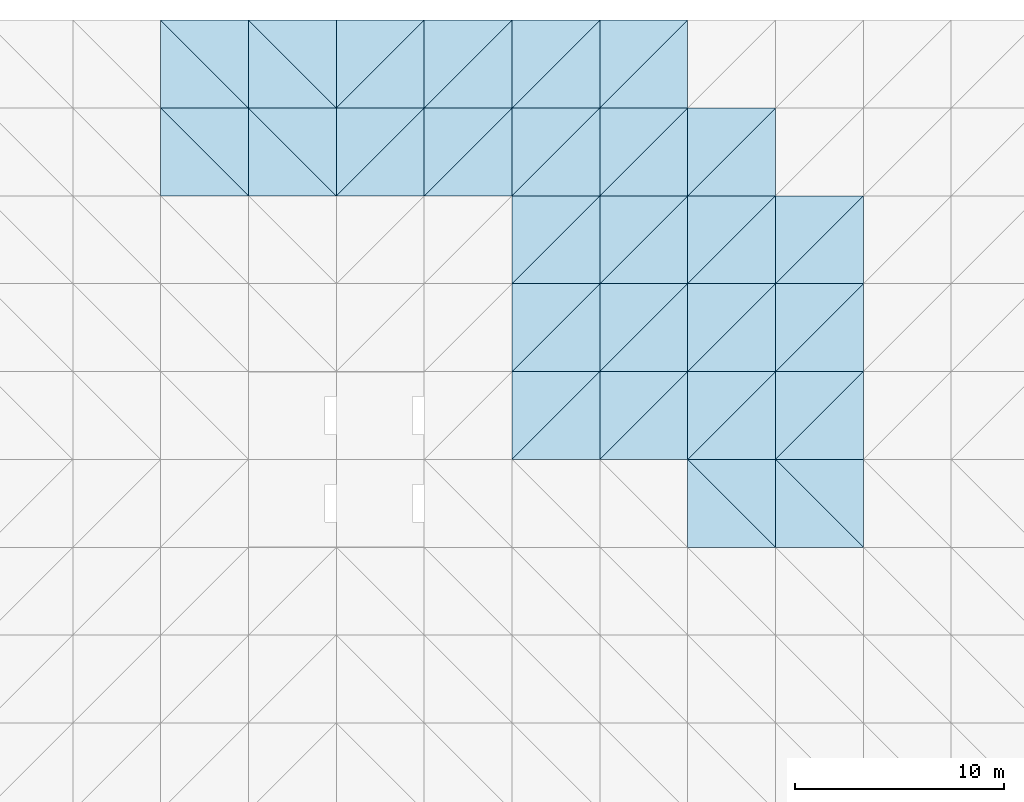
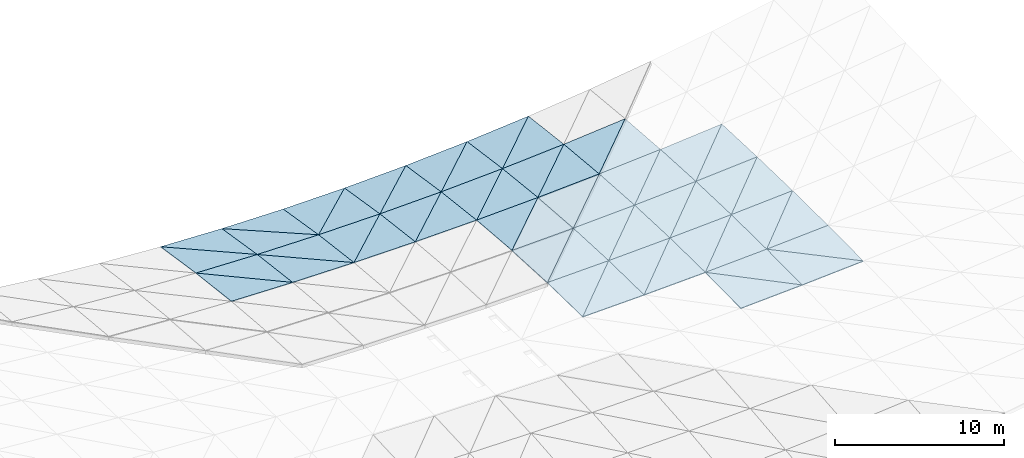
# One storey, part 52 of 64: 54 roofs.
"""IFC4 building model written with IfcOpenShell, lengths in metres."""

from ifc_helpers import new_model, si_unit, direction, frame, origin, place, context, subcontext, project, spatial, polyline, outline, extrude, material, layer, layer_set, type_object, element, save


model = new_model("IFC4")

# Units and contexts
model_context = context("Model", 3, precision=1e-05, world=origin(), true_north=direction((0.0, 1.0)))
body_context = subcontext(model_context, "Body", "Model", "MODEL_VIEW")
ifc_project = project(units=[si_unit("LENGTHUNIT", "METRE"), si_unit("AREAUNIT", "SQUARE_METRE"), si_unit("VOLUMEUNIT", "CUBIC_METRE"), si_unit("PLANEANGLEUNIT", "RADIAN"), si_unit("MASSUNIT", "GRAM", prefix="KILO")], contexts=[model_context])

# Site, building, storey
site_placement = place(None, origin())
site = spatial("IfcSite", under=ifc_project, at=site_placement, CompositionType="ELEMENT")
building_placement = place(site_placement, origin())
building = spatial("IfcBuilding", under=site, at=building_placement, Name="Cumbredor Promenade Congress Hotel", CompositionType="ELEMENT")
storey_placement = place(building_placement, frame((0.0, 0.0, 18.47998046875)))
storey = spatial("IfcBuildingStorey", under=building, at=storey_placement, Name="L05", CompositionType="ELEMENT", Elevation=18.47998046875)

# Roofs
ifc_material = material(Name="Standing-seam zinc-aluminium roofing", Category="aluminium")
ifc_layer = layer(ifc_material, 0.050048828125, Name="Standing-seam zinc-aluminium roofing", Category="aluminium")
ifc_layer_set = layer_set([ifc_layer], Name="Standing-seam zinc-aluminium roofing")
roof_type = type_object("IfcRoofType", Name="Sweeping Pavilion Standing-Seam Roof Skin 50mm", PredefinedType="FREEFORM", material=ifc_layer_set)
roof_1_placement = place(storey_placement, frame((126.0, 113.39990234375, 1.121337890625), z_axis=(0.023948674691, 0.117832171494, 0.992744700485), x_axis=(0.999709150504, 0.0, -0.024116682989)))
element("IfcRoof", 1, at=roof_1_placement, inside=storey, type_object=roof_type, Name="Pre-Function and Breakout Meeting Forum Standing-Seam Roof Skin 10.9.1", PredefinedType="FREEFORM", context=body_context, shape_type="SweptSolid", body=[
    extrude(outline(polyline([(0.0, 0.0), (4.201173080947823, 0.0), (0.012023014322136327, 4.229661146272925), (0.0, 0.0)])), origin(), (0.0, 0.0, -1.0), 0.050048828125),
])
roof_2_placement = place(storey_placement, frame((130.199951171875, 113.39990234375, 1.02001953125), z_axis=(0.029866350979, 0.123667179737, 0.991874200559), x_axis=(0.0, 0.992316872086, -0.123722372159)))
element("IfcRoof", 2, at=roof_2_placement, inside=storey, type_object=roof_type, Name="Pre-Function and Breakout Meeting Forum Standing-Seam Roof Skin 10.9.2", PredefinedType="FREEFORM", context=body_context, shape_type="SweptSolid", body=[
    extrude(outline(polyline([(0.0, 0.0), (4.232715809486229, 0.0), (4.217069279022748, 4.201825601916784), (0.0, 0.0)])), origin(), (0.0, 0.0, -1.0), 0.050048828125),
])
roof_3_placement = place(storey_placement, frame((126.0, 117.60009765625, 0.622802734375), z_axis=(0.029753049423, 0.150833026609, 0.988111407754), x_axis=(0.999546971061, 0.0, -0.03009738598)))
element("IfcRoof", 3, at=roof_3_placement, inside=storey, type_object=roof_type, Name="Pre-Function and Breakout Meeting Forum Standing-Seam Roof Skin 10.10.1", PredefinedType="FREEFORM", context=body_context, shape_type="SweptSolid", body=[
    extrude(outline(polyline([(0.0, 0.0), (4.201854733666896, 0.0), (0.019295833882523407, 4.248557844295416), (0.0, 0.0)])), origin(), (0.0, 0.0, -1.0), 0.050048828125),
])
roof_4_placement = place(storey_placement, frame((130.199951171875, 117.60009765625, 0.496337890625), z_axis=(0.037281756976, 0.158189362676, 0.986704715775), x_axis=(0.0, 0.987391156385, -0.158299413434)))
element("IfcRoof", 4, at=roof_4_placement, inside=storey, type_object=roof_type, Name="Pre-Function and Breakout Meeting Forum Standing-Seam Roof Skin 10.10.2", PredefinedType="FREEFORM", context=body_context, shape_type="SweptSolid", body=[
    extrude(outline(polyline([(0.0, 0.0), (4.253583946663738, 0.0), (4.228463190137314, 4.2028730359295094), (0.0, 0.0)])), origin(), (0.0, 0.0, -1.0), 0.050048828125),
])
roof_5_placement = place(storey_placement, frame((130.199951171875, 113.39990234375, 1.02001953125), z_axis=(0.008017648772, 0.123718395492, 0.992284977174), x_axis=(0.999967358511, 0.0, -0.008079722306)))
element("IfcRoof", 5, at=roof_5_placement, inside=storey, type_object=roof_type, Name="Pre-Function and Breakout Meeting Forum Standing-Seam Roof Skin 11.9.1", PredefinedType="FREEFORM", context=body_context, shape_type="SweptSolid", body=[
    extrude(outline(polyline([(0.0, 0.0), (4.200088269010057, 0.0), (0.004231202233089078, 4.232713694641102), (0.0, 0.0)])), origin(), (0.0, 0.0, -1.0), 0.050048828125),
])
roof_6_placement = place(storey_placement, frame((134.39990234375, 113.39990234375, 0.986083984375), z_axis=(0.009976184996, 0.125646494545, 0.992024916089), x_axis=(0.0, 0.99207428505, -0.12565274745)))
element("IfcRoof", 6, at=roof_6_placement, inside=storey, type_object=roof_type, Name="Pre-Function and Breakout Meeting Forum Standing-Seam Roof Skin 11.9.2", PredefinedType="FREEFORM", context=body_context, shape_type="SweptSolid", body=[
    extrude(outline(polyline([(0.0, 0.0), (4.2337508146241865, 0.0), (4.228443703953093, 4.20016018600767), (0.0, 0.0)])), origin(), (0.0, 0.0, -1.0), 0.050048828125),
])
roof_7_placement = place(storey_placement, frame((130.199951171875, 117.60009765625, 0.496337890625), z_axis=(0.009929096646, 0.158291610113, 0.987342483239), x_axis=(0.99994943839, 0.0, -0.010055877047)))
element("IfcRoof", 7, at=roof_7_placement, inside=storey, type_object=roof_type, Name="Pre-Function and Breakout Meeting Forum Standing-Seam Roof Skin 11.10.1", PredefinedType="FREEFORM", context=body_context, shape_type="SweptSolid", body=[
    extrude(outline(polyline([(0.0, 0.0), (4.200163538905083, -1.734723475976807e-18), (0.006771022679672835, 4.253578557469855), (0.0, 0.0)])), origin(), (0.0, 0.0, -1.0), 0.050048828125),
])
roof_8_placement = place(storey_placement, frame((134.39990234375, 117.60009765625, 0.4541015625), z_axis=(0.012449049297, 0.160747631938, 0.98691702792), x_axis=(0.0, 0.986993512432, -0.160760089626)))
element("IfcRoof", 8, at=roof_8_placement, inside=storey, type_object=roof_type, Name="Pre-Function and Breakout Meeting Forum Standing-Seam Roof Skin 11.10.2", PredefinedType="FREEFORM", context=body_context, shape_type="SweptSolid", body=[
    extrude(outline(polyline([(0.0, 0.0), (4.255297647828329, -1.734723475976807e-18), (4.246780816908204, 4.200276661464468), (0.0, 0.0)])), origin(), (0.0, 0.0, -1.0), 0.050048828125),
])
roof_9_placement = place(storey_placement, frame((134.39990234375, 113.39990234375, 0.986083984375), z_axis=(-0.008017182768, 0.123718395954, 0.992284980882), x_axis=(0.999967362305, 0.0, 0.008079252695)))
element("IfcRoof", 9, at=roof_9_placement, inside=storey, type_object=roof_type, Name="Pre-Function and Breakout Meeting Forum Standing-Seam Roof Skin 12.9.1", PredefinedType="FREEFORM", context=body_context, shape_type="SweptSolid", body=[
    extrude(outline(polyline([(0.0, 0.0), (4.200332401666406, 8.673617379884035e-19), (4.196101445360197, 4.232713694886935), (0.0, 0.0)])), origin(), (0.0, 0.0, -1.0), 0.050048828125),
])
roof_10_placement = place(storey_placement, frame((134.39990234375, 113.39990234375, 0.986083984375), z_axis=(-0.009975605178, 0.125646495272, 0.992024921828), x_axis=(0.704715554985, 0.704715554985, -0.082170390799)))
element("IfcRoof", 10, at=roof_10_placement, inside=storey, type_object=roof_type, Name="Pre-Function and Breakout Meeting Forum Standing-Seam Roof Skin 12.9.2", PredefinedType="FREEFORM", context=body_context, shape_type="SweptSolid", body=[
    extrude(outline(polyline([(0.0, 0.0), (5.960128569304301, -7.632783294297951e-17), (3.0036561741978596, 2.983738518626262), (0.0, 0.0)])), origin(), (0.0, 0.0, -1.0), 0.050048828125),
])
roof_11_placement = place(storey_placement, frame((134.39990234375, 117.60009765625, 0.4541015625), z_axis=(-0.009928519564, 0.15829161102, 0.987342488896), x_axis=(0.999949444267, 0.0, 0.010055292598)))
element("IfcRoof", 11, at=roof_11_placement, inside=storey, type_object=roof_type, Name="Pre-Function and Breakout Meeting Forum Standing-Seam Roof Skin 12.10.1", PredefinedType="FREEFORM", context=body_context, shape_type="SweptSolid", body=[
    extrude(outline(polyline([(0.0, 0.0), (4.200407667186657, -8.673617379884035e-19), (4.19363703803977, 4.253578558096279), (0.0, 0.0)])), origin(), (0.0, 0.0, -1.0), 0.050048828125),
])
roof_12_placement = place(storey_placement, frame((134.39990234375, 117.60009765625, 0.4541015625), z_axis=(-0.012448325796, 0.160747633386, 0.98691703681), x_axis=(0.703169413025, 0.703128540588, -0.105655250678)))
element("IfcRoof", 12, at=roof_12_placement, inside=storey, type_object=roof_type, Name="Pre-Function and Breakout Meeting Forum Standing-Seam Roof Skin 12.10.2", PredefinedType="FREEFORM", context=body_context, shape_type="SweptSolid", body=[
    extrude(outline(polyline([(0.0, 0.0), (5.973233810651932, 1.249000902703301e-16), (3.025382396517911, 2.9924270127194172), (0.0, 0.0)])), origin(), (0.0, 0.0, -1.0), 0.050048828125),
])
roof_13_placement = place(storey_placement, frame((138.60009765625, 113.39990234375, 1.02001953125), z_axis=(-0.023948674691, 0.117832171494, 0.992744700485), x_axis=(0.999709150504, 0.0, 0.024116682989)))
element("IfcRoof", 13, at=roof_13_placement, inside=storey, type_object=roof_type, Name="Pre-Function and Breakout Meeting Forum Standing-Seam Roof Skin 13.9.1", PredefinedType="FREEFORM", context=body_context, shape_type="SweptSolid", body=[
    extrude(outline(polyline([(0.0, 0.0), (4.201173080947823, 0.0), (4.189150066625687, 4.229661146272926), (0.0, 0.0)])), origin(), (0.0, 0.0, -1.0), 0.050048828125),
])
roof_14_placement = place(storey_placement, frame((138.60009765625, 113.39990234375, 1.02001953125), z_axis=(-0.029866350979, 0.123667179737, 0.991874200559), x_axis=(0.705510432924, 0.705551443819, -0.066724726755)))
element("IfcRoof", 14, at=roof_14_placement, inside=storey, type_object=roof_type, Name="Pre-Function and Breakout Meeting Forum Standing-Seam Roof Skin 13.9.2", PredefinedType="FREEFORM", context=body_context, shape_type="SweptSolid", body=[
    extrude(outline(polyline([(0.0, 0.0), (5.953067418818705, -1.3877787807814457e-16), (2.9983963814339383, 2.9875579096778235), (0.0, 0.0)])), origin(), (0.0, 0.0, -1.0), 0.050048828125),
])
roof_15_placement = place(storey_placement, frame((138.60009765625, 117.60009765625, 0.496337890625), z_axis=(-0.029753049423, 0.150833026609, 0.988111407754), x_axis=(0.999546971061, 0.0, 0.03009738598)))
element("IfcRoof", 15, at=roof_15_placement, inside=storey, type_object=roof_type, Name="Pre-Function and Breakout Meeting Forum Standing-Seam Roof Skin 13.10.1", PredefinedType="FREEFORM", context=body_context, shape_type="SweptSolid", body=[
    extrude(outline(polyline([(0.0, 0.0), (4.201854733666896, 0.0), (4.182558899784373, 4.248557844295416), (0.0, 0.0)])), origin(), (0.0, 0.0, -1.0), 0.050048828125),
])
roof_16_placement = place(storey_placement, frame((138.60009765625, 117.60009765625, 0.496337890625), z_axis=(-0.037281756976, 0.158189362676, 0.986704715775), x_axis=(0.70446728628, 0.70446728628, -0.086323143607)))
element("IfcRoof", 16, at=roof_16_placement, inside=storey, type_object=roof_type, Name="Pre-Function and Breakout Meeting Forum Standing-Seam Roof Skin 13.10.2", PredefinedType="FREEFORM", context=body_context, shape_type="SweptSolid", body=[
    extrude(outline(polyline([(0.0, 0.0), (5.961882480097168, 4.85722573273506e-16), (3.016853016588391, 2.9985953824444187), (0.0, 0.0)])), origin(), (0.0, 0.0, -1.0), 0.050048828125),
])
roof_17_placement = place(storey_placement, frame((142.800048828125, 100.800048828125, 1.7626953125), z_axis=(-0.027539541497, 0.015570880003, 0.999499435393), x_axis=(0.9996206229, 0.0, 0.027542880617)))
element("IfcRoof", 17, at=roof_17_placement, inside=storey, type_object=roof_type, Name="Pre-Function and Breakout Meeting Forum Standing-Seam Roof Skin 14.6.1", PredefinedType="FREEFORM", context=body_context, shape_type="SweptSolid", body=[
    extrude(outline(polyline([(0.0, 0.0), (4.20154514188575, -2.168404344971009e-19), (4.199743019814128, 4.20046040839532), (0.0, 0.0)])), origin(), (0.0, 0.0, -1.0), 0.050048828125),
])
roof_18_placement = place(storey_placement, frame((142.800048828125, 100.800048828125, 1.7626953125), z_axis=(-0.02893215325, 0.016964234436, 0.999437414378), x_axis=(0.707081434119, 0.707081434119, 0.008467056643)))
element("IfcRoof", 18, at=roof_18_placement, inside=storey, type_object=roof_type, Name="Pre-Function and Breakout Meeting Forum Standing-Seam Roof Skin 14.6.2", PredefinedType="FREEFORM", context=body_context, shape_type="SweptSolid", body=[
    extrude(outline(polyline([(0.0, 0.0), (5.939840829094166, 3.2894693913210205e-16), (2.969103889309299, 2.971379153028895), (0.0, 0.0)])), origin(), (0.0, 0.0, -1.0), 0.050048828125),
])
roof_19_placement = place(storey_placement, frame((142.800048828125, 105.0, 1.69140625), z_axis=(-0.028904949534, 0.046549738005, 0.998497684416), x_axis=(0.999581257099, 0.0, 0.028936317272)))
element("IfcRoof", 19, at=roof_19_placement, inside=storey, type_object=roof_type, Name="Pre-Function and Breakout Meeting Forum Standing-Seam Roof Skin 14.7.1", PredefinedType="FREEFORM", context=body_context, shape_type="SweptSolid", body=[
    extrude(outline(polyline([(0.0, 0.0), (4.2017106083662, 0.0), (4.1960448548377896, 4.204508971486357), (0.0, 0.0)])), origin(), (0.0, 0.0, -1.0), 0.050048828125),
])
roof_20_placement = place(storey_placement, frame((142.800048828125, 105.0, 1.69140625), z_axis=(-0.033188696193, 0.050827443821, 0.998155840237), x_axis=(0.707051584508, 0.707051584508, -0.012494546398)))
element("IfcRoof", 20, at=roof_20_placement, inside=storey, type_object=roof_type, Name="Pre-Function and Breakout Meeting Forum Standing-Seam Roof Skin 14.7.2", PredefinedType="FREEFORM", context=body_context, shape_type="SweptSolid", body=[
    extrude(outline(polyline([(0.0, 0.0), (5.940091591475668, -4.49293380277993e-16), (2.972254304427382, 2.9750686327942493), (0.0, 0.0)])), origin(), (0.0, 0.0, -1.0), 0.050048828125),
])
roof_21_placement = place(storey_placement, frame((142.800048828125, 109.199951171875, 1.4775390625), z_axis=(-0.033131848361, 0.077442799403, 0.996446131733), x_axis=(0.999447676196, 0.0, 0.033231649758)))
element("IfcRoof", 21, at=roof_21_placement, inside=storey, type_object=roof_type, Name="Pre-Function and Breakout Meeting Forum Standing-Seam Roof Skin 14.8.1", PredefinedType="FREEFORM", context=body_context, shape_type="SweptSolid", body=[
    extrude(outline(polyline([(0.0, 0.0), (4.202272186833021, 3.469446951953614e-18), (4.191424844126417, 4.212602473121205), (0.0, 0.0)])), origin(), (0.0, 0.0, -1.0), 0.050048828125),
])
roof_22_placement = place(storey_placement, frame((142.800048828125, 109.199951171875, 1.4775390625), z_axis=(-0.040165055195, 0.084439215461, 0.995618796143), x_axis=(0.706757465898, 0.706757465898, -0.031428789247)))
element("IfcRoof", 22, at=roof_22_placement, inside=storey, type_object=roof_type, Name="Pre-Function and Breakout Meeting Forum Standing-Seam Roof Skin 14.8.2", PredefinedType="FREEFORM", context=body_context, shape_type="SweptSolid", body=[
    extrude(outline(polyline([(0.0, 0.0), (5.942563573114473, -7.979727989493313e-17), (2.9795418186920406, 2.981409007775458), (0.0, 0.0)])), origin(), (0.0, 0.0, -1.0), 0.050048828125),
])
roof_23_placement = place(storey_placement, frame((142.800048828125, 113.39990234375, 1.121337890625), z_axis=(-0.040072862833, 0.108086511266, 0.993333514861), x_axis=(0.999187261443, 0.0, 0.040309013512)))
element("IfcRoof", 23, at=roof_23_placement, inside=storey, type_object=roof_type, Name="Pre-Function and Breakout Meeting Forum Standing-Seam Roof Skin 14.9.1", PredefinedType="FREEFORM", context=body_context, shape_type="SweptSolid", body=[
    extrude(outline(polyline([(0.0, 0.0), (4.203367410639382, 3.469446951953614e-18), (4.184944931807874, 4.224947199539567), (0.0, 0.0)])), origin(), (0.0, 0.0, -1.0), 0.050048828125),
])
roof_24_placement = place(storey_placement, frame((142.800048828125, 113.39990234375, 1.121337890625), z_axis=(-0.049811801642, 0.117719660445, 0.991796786626), x_axis=(0.706258846717, 0.706299901118, -0.048362083441)))
element("IfcRoof", 24, at=roof_24_placement, inside=storey, type_object=roof_type, Name="Pre-Function and Breakout Meeting Forum Standing-Seam Roof Skin 14.9.2", PredefinedType="FREEFORM", context=body_context, shape_type="SweptSolid", body=[
    extrude(outline(polyline([(0.0, 0.0), (5.946759026659954, -9.298117831235686e-16), (2.9907077327180347, 2.9909605852676724), (0.0, 0.0)])), origin(), (0.0, 0.0, -1.0), 0.050048828125),
])
roof_25_placement = place(storey_placement, frame((142.800048828125, 117.60009765625, 0.622802734375), z_axis=(-0.049677874102, 0.138396577503, 0.989130171494), x_axis=(0.998741166039, 0.0, 0.050160574752)))
element("IfcRoof", 25, at=roof_25_placement, inside=storey, type_object=roof_type, Name="Pre-Function and Breakout Meeting Forum Standing-Seam Roof Skin 14.10.1", PredefinedType="FREEFORM", context=body_context, shape_type="SweptSolid", body=[
    extrude(outline(polyline([(0.0, 0.0), (4.205244876941228, 0.0), (4.175768191534024, 4.240760469744771), (0.0, 0.0)])), origin(), (0.0, 0.0, -1.0), 0.050048828125),
])
roof_26_placement = place(storey_placement, frame((142.800048828125, 117.60009765625, 0.622802734375), z_axis=(-0.062113086697, 0.15060846322, 0.986640286663), x_axis=(0.705688897227, 0.705688897227, -0.063295818661)))
element("IfcRoof", 26, at=roof_26_placement, inside=storey, type_object=roof_type, Name="Pre-Function and Breakout Meeting Forum Standing-Seam Roof Skin 14.10.2", PredefinedType="FREEFORM", context=body_context, shape_type="SweptSolid", body=[
    extrude(outline(polyline([(0.0, 0.0), (5.951561925341719, 2.42861286636753e-16), (3.0044387008804465, 3.0039913745184332), (0.0, 0.0)])), origin(), (0.0, 0.0, -1.0), 0.050048828125),
])
roof_27_placement = place(storey_placement, frame((147.0, 100.800048828125, 1.87841796875), z_axis=(-0.038507672945, 0.013532862438, 0.999166663154), x_axis=(0.999258168598, 0.0, 0.038511199545)))
element("IfcRoof", 27, at=roof_27_placement, inside=storey, type_object=roof_type, Name="Pre-Function and Breakout Meeting Forum Standing-Seam Roof Skin 15.6.1", PredefinedType="FREEFORM", context=body_context, shape_type="SweptSolid", body=[
    extrude(outline(polyline([(0.0, 0.0), (4.20306914054878, 0.0), (4.200878439988699, 4.2003358108043525), (0.0, 0.0)])), origin(), (0.0, 0.0, -1.0), 0.050048828125),
])
roof_28_placement = place(storey_placement, frame((147.0, 100.800048828125, 1.87841796875), z_axis=(-0.040536050793, 0.015563985118, 0.999056850711), x_axis=(0.706996360154, 0.706996360154, 0.017671826708)))
element("IfcRoof", 28, at=roof_28_placement, inside=storey, type_object=roof_type, Name="Pre-Function and Breakout Meeting Forum Standing-Seam Roof Skin 15.6.2", PredefinedType="FREEFORM", context=body_context, shape_type="SweptSolid", body=[
    extrude(outline(polyline([(0.0, 0.0), (5.940555579328195, 1.5612511283791264e-16), (2.9681939292392445, 2.9721533756803042), (0.0, 0.0)])), origin(), (0.0, 0.0, -1.0), 0.050048828125),
])
roof_29_placement = place(storey_placement, frame((147.0, 105.0, 1.81298828125), z_axis=(-0.040507495707, 0.04062356303, 0.998353078284), x_axis=(0.999177877283, 0.0, 0.040540961364)))
element("IfcRoof", 29, at=roof_29_placement, inside=storey, type_object=roof_type, Name="Pre-Function and Breakout Meeting Forum Standing-Seam Roof Skin 15.7.1", PredefinedType="FREEFORM", context=body_context, shape_type="SweptSolid", body=[
    extrude(outline(polyline([(0.0, 0.0), (4.203406888166709, 0.0), (4.196478501214868, 4.203421001937395), (0.0, 0.0)])), origin(), (0.0, 0.0, -1.0), 0.050048828125),
])
roof_30_placement = place(storey_placement, frame((147.0, 105.0, 1.81298828125), z_axis=(-0.046403024338, 0.046519031899, 0.997839034616), x_axis=(0.707106778797, 0.707106778797, -8.220738e-05)))
element("IfcRoof", 30, at=roof_30_placement, inside=storey, type_object=roof_type, Name="Pre-Function and Breakout Meeting Forum Standing-Seam Roof Skin 15.7.2", PredefinedType="FREEFORM", context=body_context, shape_type="SweptSolid", body=[
    extrude(outline(polyline([(0.0, 0.0), (5.93962792864056, -2.3489240066898454e-16), (2.969830040519341, 2.976245507766653), (0.0, 0.0)])), origin(), (0.0, 0.0, -1.0), 0.050048828125),
])
roof_31_placement = place(storey_placement, frame((147.0, 109.199951171875, 1.6171875), z_axis=(-0.046347025276, 0.067608723121, 0.996634844768), x_axis=(0.998920462084, 0.0, 0.046453314519)))
element("IfcRoof", 31, at=roof_31_placement, inside=storey, type_object=roof_type, Name="Pre-Function and Breakout Meeting Forum Standing-Seam Roof Skin 15.8.1", PredefinedType="FREEFORM", context=body_context, shape_type="SweptSolid", body=[
    extrude(outline(polyline([(0.0, 0.0), (4.204490078331787, 0.0), (4.19125496650477, 4.209583065817521), (0.0, 0.0)])), origin(), (0.0, 0.0, -1.0), 0.050048828125),
])
roof_32_placement = place(storey_placement, frame((147.0, 109.199951171875, 1.6171875), z_axis=(-0.05612737267, 0.077363193051, 0.995421847459), x_axis=(0.707026340708, 0.707026340708, -0.015083338199)))
element("IfcRoof", 32, at=roof_32_placement, inside=storey, type_object=roof_type, Name="Pre-Function and Breakout Meeting Forum Standing-Seam Roof Skin 15.8.2", PredefinedType="FREEFORM", context=body_context, shape_type="SweptSolid", body=[
    extrude(outline(polyline([(0.0, 0.0), (5.940303677613505, -9.8879238130678e-17), (2.974399551358681, 2.983133347718128), (0.0, 0.0)])), origin(), (0.0, 0.0, -1.0), 0.050048828125),
])
roof_33_placement = place(storey_placement, frame((147.0, 113.39990234375, 1.290771484375), z_axis=(-0.056044980003, 0.094346528421, 0.993960609276), x_axis=(0.998414117425, 0.0, 0.05629609335)))
element("IfcRoof", 33, at=roof_33_placement, inside=storey, type_object=roof_type, Name="Pre-Function and Breakout Meeting Forum Standing-Seam Roof Skin 15.9.1", PredefinedType="FREEFORM", context=body_context, shape_type="SweptSolid", body=[
    extrude(outline(polyline([(0.0, 0.0), (4.206622381008706, 0.0), (4.184178162151099, 4.219014573423311), (0.0, 0.0)])), origin(), (0.0, 0.0, -1.0), 0.050048828125),
])
roof_34_placement = place(storey_placement, frame((147.0, 113.39990234375, 1.290771484375), z_axis=(-0.069696153206, 0.107910351556, 0.991714577011), x_axis=(0.706823829527, 0.706864916769, -0.027240841654)))
element("IfcRoof", 34, at=roof_34_placement, inside=storey, type_object=roof_type, Name="Pre-Function and Breakout Meeting Forum Standing-Seam Roof Skin 15.9.2", PredefinedType="FREEFORM", context=body_context, shape_type="SweptSolid", body=[
    extrude(outline(polyline([(0.0, 0.0), (5.942005626333623, -3.95516952522712e-16), (2.981420625896636, 2.9936013893138225), (0.0, 0.0)])), origin(), (0.0, 0.0, -1.0), 0.050048828125),
])
roof_35_placement = place(storey_placement, frame((147.0, 117.60009765625, 0.833740234375), z_axis=(-0.069591463531, 0.120878472635, 0.990224935586), x_axis=(0.997539580824, 0.0, 0.070105525386)))
element("IfcRoof", 35, at=roof_35_placement, inside=storey, type_object=roof_type, Name="Pre-Function and Breakout Meeting Forum Standing-Seam Roof Skin 15.10.1", PredefinedType="FREEFORM", context=body_context, shape_type="SweptSolid", body=[
    extrude(outline(polyline([(0.0, 0.0), (4.210310300074583, 0.0), (4.174367525828808, 4.230975590401481), (0.0, 0.0)])), origin(), (0.0, 0.0, -1.0), 0.050048828125),
])
roof_36_placement = place(storey_placement, frame((147.0, 117.60009765625, 0.833740234375), z_axis=(-0.086943542006, 0.138042945653, 0.986602739535), x_axis=(0.706633046234, 0.706633046234, -0.036598851607)))
element("IfcRoof", 36, at=roof_36_placement, inside=storey, type_object=roof_type, Name="Pre-Function and Breakout Meeting Forum Standing-Seam Roof Skin 15.10.2", PredefinedType="FREEFORM", context=body_context, shape_type="SweptSolid", body=[
    extrude(outline(polyline([(0.0, 0.0), (5.943609903692141, 5.273559366969494e-16), (2.9893314770968247, 3.008124923730828), (0.0, 0.0)])), origin(), (0.0, 0.0, -1.0), 0.050048828125),
])
roof_37_placement = place(storey_placement, frame((151.199951171875, 96.60009765625, 1.9833984375), z_axis=(-0.052066568165, -0.013524537773, 0.998552031372), x_axis=(0.998643368037, 0.0, 0.052071330648)))
element("IfcRoof", 37, at=roof_37_placement, inside=storey, type_object=roof_type, Name="Pre-Function and Breakout Meeting Forum Standing-Seam Roof Skin 16.5.1", PredefinedType="FREEFORM", context=body_context, shape_type="SweptSolid", body=[
    extrude(outline(polyline([(0.0, 0.0), (4.205656700179208, -4.336808689942018e-19), (0.002962065439666198, 4.200335337668022), (0.0, 0.0)])), origin(), (0.0, 0.0, -1.0), 0.050048828125),
])
roof_38_placement = place(storey_placement, frame((155.39990234375, 96.60009765625, 2.202392578125), z_axis=(-0.04952055146, -0.01097231445, 0.99871283325), x_axis=(0.0, 0.999939654357, 0.010985792866)))
element("IfcRoof", 38, at=roof_38_placement, inside=storey, type_object=roof_type, Name="Pre-Function and Breakout Meeting Forum Standing-Seam Roof Skin 16.5.2", PredefinedType="FREEFORM", context=body_context, shape_type="SweptSolid", body=[
    extrude(outline(polyline([(0.0, 0.0), (4.200204635925518, 4.336808689942018e-19), (4.197916823104551, 4.205110401407681), (0.0, 0.0)])), origin(), (0.0, 0.0, -1.0), 0.050048828125),
])
roof_39_placement = place(storey_placement, frame((151.199951171875, 100.800048828125, 2.040283203125), z_axis=(-0.04952055146, 0.01097231445, 0.99871283325), x_axis=(0.998772957039, 0.0, 0.04952353266)))
element("IfcRoof", 39, at=roof_39_placement, inside=storey, type_object=roof_type, Name="Pre-Function and Breakout Meeting Forum Standing-Seam Roof Skin 16.6.1", PredefinedType="FREEFORM", context=body_context, shape_type="SweptSolid", body=[
    extrude(outline(polyline([(0.0, 0.0), (4.205111023756039, 4.336808689942018e-19), (4.202825880281237, 4.200204014303295), (0.0, 0.0)])), origin(), (0.0, 0.0, -1.0), 0.050048828125),
])
roof_40_placement = place(storey_placement, frame((151.199951171875, 100.800048828125, 2.040283203125), z_axis=(-0.052066568165, 0.013524537773, 0.998552031372), x_axis=(0.706843566423, 0.706843566423, 0.0272826907)))
element("IfcRoof", 40, at=roof_40_placement, inside=storey, type_object=roof_type, Name="Pre-Function and Breakout Meeting Forum Standing-Seam Roof Skin 16.6.2", PredefinedType="FREEFORM", context=body_context, shape_type="SweptSolid", body=[
    extrude(outline(polyline([(0.0, 0.0), (5.941839710201822, 5.412337245047638e-16), (2.9671564956660306, 2.973013295113442), (0.0, 0.0)])), origin(), (0.0, 0.0, -1.0), 0.050048828125),
])
roof_41_placement = place(storey_placement, frame((151.199951171875, 105.0, 1.9833984375), z_axis=(-0.052042948158, 0.033012750838, 0.998099038086), x_axis=(0.998643368037, 0.0, 0.052071330648)))
element("IfcRoof", 41, at=roof_41_placement, inside=storey, type_object=roof_type, Name="Pre-Function and Breakout Meeting Forum Standing-Seam Roof Skin 16.7.1", PredefinedType="FREEFORM", context=body_context, shape_type="SweptSolid", body=[
    extrude(outline(polyline([(0.0, 0.0), (4.205656700179208, 8.673617379884035e-19), (4.198423158397363, 4.202241685268068), (0.0, 0.0)])), origin(), (0.0, 0.0, -1.0), 0.050048828125),
])
roof_42_placement = place(storey_placement, frame((151.199951171875, 105.0, 1.9833984375), z_axis=(-0.05960146488, 0.040584655074, 0.997396887481), x_axis=(0.707042526454, 0.707042526454, 0.013480785251)))
element("IfcRoof", 42, at=roof_42_placement, inside=storey, type_object=roof_type, Name="Pre-Function and Breakout Meeting Forum Standing-Seam Roof Skin 16.7.2", PredefinedType="FREEFORM", context=body_context, shape_type="SweptSolid", body=[
    extrude(outline(polyline([(0.0, 0.0), (5.940167691098619, -3.9898639947466563e-16), (2.967240242410378, 2.9772943196624904), (0.0, 0.0)])), origin(), (0.0, 0.0, -1.0), 0.050048828125),
])
roof_43_placement = place(storey_placement, frame((151.199951171875, 109.199951171875, 1.8125), z_axis=(-0.059560754984, 0.054867738297, 0.996715630338), x_axis=(0.998219316899, 0.0, 0.05965061081)))
element("IfcRoof", 43, at=roof_43_placement, inside=storey, type_object=roof_type, Name="Pre-Function and Breakout Meeting Forum Standing-Seam Roof Skin 16.8.1", PredefinedType="FREEFORM", context=body_context, shape_type="SweptSolid", body=[
    extrude(outline(polyline([(0.0, 0.0), (4.207443295049679, 0.0), (4.193652003927246, 4.20628739249944), (0.0, 0.0)])), origin(), (0.0, 0.0, -1.0), 0.050048828125),
])
roof_44_placement = place(storey_placement, frame((151.199951171875, 109.199951171875, 1.8125), z_axis=(-0.07219029204, 0.067504864432, 0.995103841322), x_axis=(0.707102862116, 0.707102862116, 0.003329380447)))
element("IfcRoof", 44, at=roof_44_placement, inside=storey, type_object=roof_type, Name="Pre-Function and Breakout Meeting Forum Standing-Seam Roof Skin 16.8.2", PredefinedType="FREEFORM", context=body_context, shape_type="SweptSolid", body=[
    extrude(outline(polyline([(0.0, 0.0), (5.939660828561067, 2.398255205537936e-16), (2.9688489135749987, 2.9844096375275373), (0.0, 0.0)])), origin(), (0.0, 0.0, -1.0), 0.050048828125),
])
roof_45_placement = place(storey_placement, frame((151.199951171875, 113.39990234375, 1.527587890625), z_axis=(-0.072142490586, 0.076646940808, 0.994444924326), x_axis=(0.997378917455, 0.0, 0.072355338545)))
element("IfcRoof", 45, at=roof_45_placement, inside=storey, type_object=roof_type, Name="Pre-Function and Breakout Meeting Forum Standing-Seam Roof Skin 16.9.1", PredefinedType="FREEFORM", context=body_context, shape_type="SweptSolid", body=[
    extrude(outline(polyline([(0.0, 0.0), (4.210988520382172, 3.469446951953614e-18), (4.187564892718539, 4.212587496208376), (0.0, 0.0)])), origin(), (0.0, 0.0, -1.0), 0.050048828125),
])
roof_46_placement = place(storey_placement, frame((151.199951171875, 113.39990234375, 1.527587890625), z_axis=(-0.089624599077, 0.094114767296, 0.991518956862), x_axis=(0.70708259581, 0.707123698094, -0.003205978171)))
element("IfcRoof", 46, at=roof_46_placement, inside=storey, type_object=roof_type, Name="Pre-Function and Breakout Meeting Forum Standing-Seam Roof Skin 16.9.2", PredefinedType="FREEFORM", context=body_context, shape_type="SweptSolid", body=[
    extrude(outline(polyline([(0.0, 0.0), (5.939831070320096, 2.0122792321330962e-16), (2.971335806730188, 2.995288172674122), (0.0, 0.0)])), origin(), (0.0, 0.0, -1.0), 0.050048828125),
])
roof_47_placement = place(storey_placement, frame((155.39990234375, 96.60009765625, 2.202392578125), z_axis=(-0.063573411273, -0.010963570417, 0.997916941184), x_axis=(0.997976921338, 0.0, 0.063577232375)))
element("IfcRoof", 47, at=roof_47_placement, inside=storey, type_object=roof_type, Name="Pre-Function and Breakout Meeting Forum Standing-Seam Roof Skin 17.5.1", PredefinedType="FREEFORM", context=body_context, shape_type="SweptSolid", body=[
    extrude(outline(polyline([(0.0, 0.0), (4.208709863619194, 4.336808689942018e-19), (0.002933617411853662, 4.200203611438272), (0.0, 0.0)])), origin(), (0.0, 0.0, -1.0), 0.050048828125),
])
roof_48_placement = place(storey_placement, frame((159.60009765625, 96.60009765625, 2.469970703125), z_axis=(-0.06051244543, -0.007890863821, 0.99813625233), x_axis=(0.0, 0.999968752226, 0.007905350829)))
element("IfcRoof", 48, at=roof_48_placement, inside=storey, type_object=roof_type, Name="Pre-Function and Breakout Meeting Forum Standing-Seam Roof Skin 17.5.2", PredefinedType="FREEFORM", context=body_context, shape_type="SweptSolid", body=[
    extrude(outline(polyline([(0.0, 0.0), (4.200082415101393, 4.336808689942018e-19), (4.198069407065717, 4.2079065417568255), (0.0, 0.0)])), origin(), (0.0, 0.0, -1.0), 0.050048828125),
])
roof_49_placement = place(storey_placement, frame((155.39990234375, 100.800048828125, 2.24853515625), z_axis=(-0.06051244543, 0.007890863821, 0.99813625233), x_axis=(0.998167328624, 0.0, 0.060514329444)))
element("IfcRoof", 49, at=roof_49_placement, inside=storey, type_object=roof_type, Name="Pre-Function and Breakout Meeting Forum Standing-Seam Roof Skin 17.6.1", PredefinedType="FREEFORM", context=body_context, shape_type="SweptSolid", body=[
    extrude(outline(polyline([(0.0, 0.0), (4.207907023255295, 0.0), (4.205897758410475, 4.200081934498271), (0.0, 0.0)])), origin(), (0.0, 0.0, -1.0), 0.050048828125),
])
roof_50_placement = place(storey_placement, frame((155.39990234375, 100.800048828125, 2.24853515625), z_axis=(-0.063573411273, 0.010963570417, 0.997916941184), x_axis=(0.70663646248, 0.706595388517, 0.037254084601)))
element("IfcRoof", 50, at=roof_50_placement, inside=storey, type_object=roof_type, Name="Pre-Function and Breakout Meeting Forum Standing-Seam Roof Skin 17.6.2", PredefinedType="FREEFORM", context=body_context, shape_type="SweptSolid", body=[
    extrude(outline(polyline([(0.0, 0.0), (5.943926665992859, -6.938893903907228e-17), (2.9659471305351452, 2.9740337258545924), (0.0, 0.0)])), origin(), (0.0, 0.0, -1.0), 0.050048828125),
])
roof_51_placement = place(storey_placement, frame((155.39990234375, 105.0, 2.202392578125), z_axis=(-0.063559431468, 0.023662185643, 0.997697499066), x_axis=(0.997976921338, 0.0, 0.063577232375)))
element("IfcRoof", 51, at=roof_51_placement, inside=storey, type_object=roof_type, Name="Pre-Function and Breakout Meeting Forum Standing-Seam Roof Skin 17.7.1", PredefinedType="FREEFORM", context=body_context, shape_type="SweptSolid", body=[
    extrude(outline(polyline([(0.0, 0.0), (4.208709863619194, -1.734723475976807e-18), (4.2023769752380495, 4.201127440133997), (0.0, 0.0)])), origin(), (0.0, 0.0, -1.0), 0.050048828125),
])
roof_52_placement = place(storey_placement, frame((155.39990234375, 105.0, 2.202392578125), z_axis=(-0.072830541361, 0.03296975891, 0.996799231161), x_axis=(0.706844765741, 0.70680367967, 0.028267216858)))
element("IfcRoof", 52, at=roof_52_placement, inside=storey, type_object=roof_type, Name="Pre-Function and Breakout Meeting Forum Standing-Seam Roof Skin 17.7.2", PredefinedType="FREEFORM", context=body_context, shape_type="SweptSolid", body=[
    extrude(outline(polyline([(0.0, 0.0), (5.942175023529493, -7.112366251504909e-17), (2.964614173577656, 2.9782461797765785), (0.0, 0.0)])), origin(), (0.0, 0.0, -1.0), 0.050048828125),
])
roof_53_placement = place(storey_placement, frame((155.39990234375, 109.199951171875, 2.0634765625), z_axis=(-0.072813763069, 0.03933446227, 0.996569594151), x_axis=(0.997341436111, 0.0, 0.072870157242)))
element("IfcRoof", 53, at=roof_53_placement, inside=storey, type_object=roof_type, Name="Pre-Function and Breakout Meeting Forum Standing-Seam Roof Skin 17.8.1", PredefinedType="FREEFORM", context=body_context, shape_type="SweptSolid", body=[
    extrude(outline(polyline([(0.0, 0.0), (4.211391566040812, -1.734723475976807e-18), (4.199311771908167, 4.203204029040203), (0.0, 0.0)])), origin(), (0.0, 0.0, -1.0), 0.050048828125),
])
roof_54_placement = place(storey_placement, frame((155.39990234375, 109.199951171875, 2.0634765625), z_axis=(-0.08816352319, 0.054751285072, 0.994600165877), x_axis=(0.706927862913, 0.706886772012, 0.023750540849)))
element("IfcRoof", 54, at=roof_54_placement, inside=storey, type_object=roof_type, Name="Pre-Function and Breakout Meeting Forum Standing-Seam Roof Skin 17.8.2", PredefinedType="FREEFORM", context=body_context, shape_type="SweptSolid", body=[
    extrude(outline(polyline([(0.0, 0.0), (5.941476539331473, -4.527628272299467e-16), (2.9633987736191867, 2.9851819938695288), (0.0, 0.0)])), origin(), (0.0, 0.0, -1.0), 0.050048828125),
])

save(model, "model.ifc")
